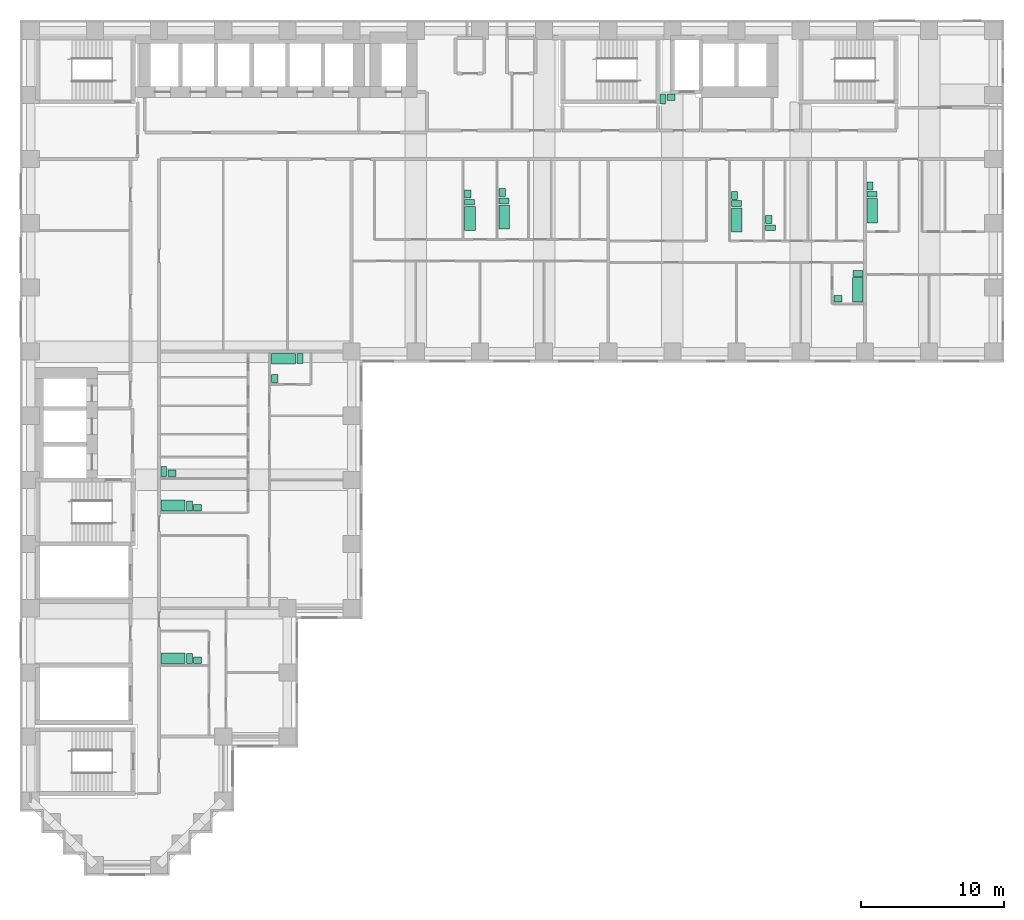
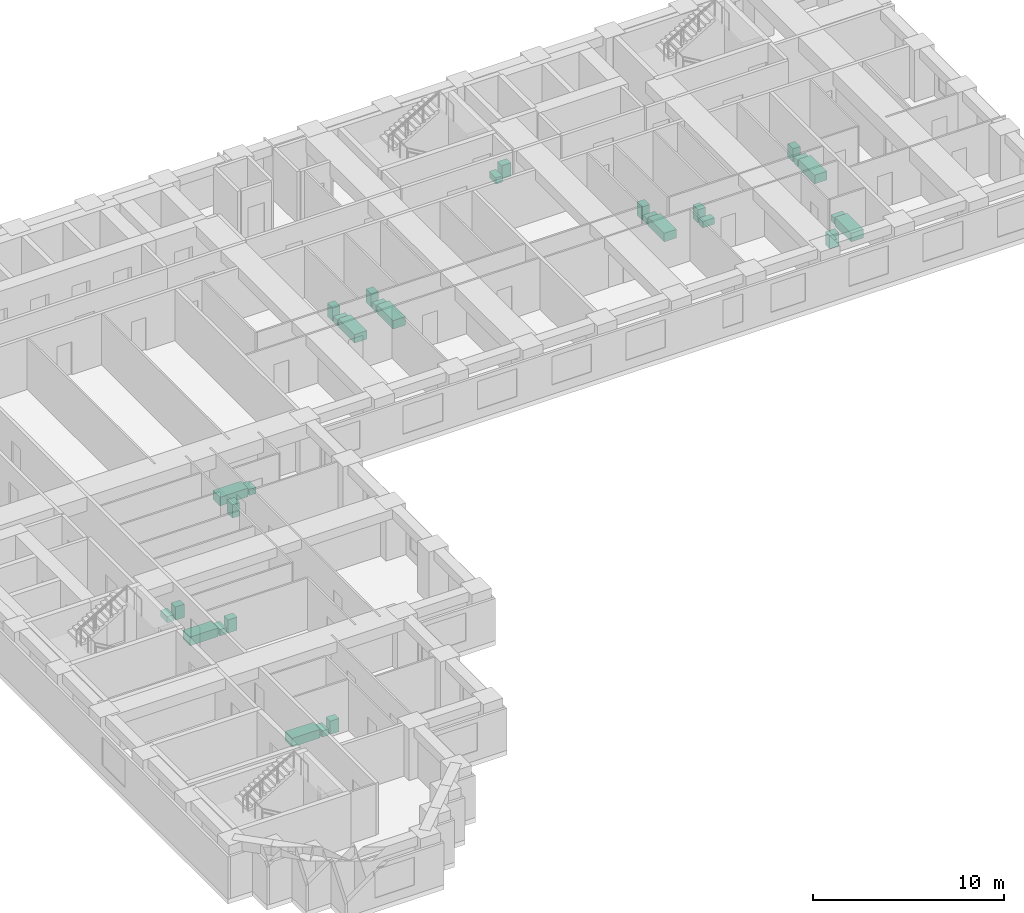
# One storey, part 12 of 12: 30 sanitary terminals.
"""IFC4 building model written with IfcOpenShell, lengths in metres."""

from ifc_helpers import new_model, si_unit, direction, frame, origin, origin_2d, place, context, subcontext, project, spatial, rectangle, extrude, material, type_object, element, save


model = new_model("IFC4")

# Units and contexts
model_context = context("Model", 3, precision=1e-05, world=origin(), true_north=direction((0.0, 1.0)))
body_context = subcontext(model_context, "Body", "Model", "MODEL_VIEW")
ifc_project = project(units=[si_unit("LENGTHUNIT", "METRE"), si_unit("AREAUNIT", "SQUARE_METRE"), si_unit("VOLUMEUNIT", "CUBIC_METRE"), si_unit("PLANEANGLEUNIT", "RADIAN"), si_unit("MASSUNIT", "GRAM", prefix="KILO")], contexts=[model_context])

# Site, building, storey
site_placement = place(None, origin())
site = spatial("IfcSite", under=ifc_project, at=site_placement, CompositionType="ELEMENT")
building_placement = place(site_placement, origin())
building = spatial("IfcBuilding", under=site, at=building_placement, Name="Firuza Court", CompositionType="ELEMENT")
storey_placement = place(building_placement, frame((0.0, 0.0, 97.39990234375)))
storey = spatial("IfcBuildingStorey", under=building, at=storey_placement, Name="L24", CompositionType="ELEMENT", Elevation=97.39990234375)

# Sanitary terminals
ifc_material_1 = material(Name="Vitreous china", Category="ceramic")
sanitary_terminal_type_1 = type_object("IfcSanitaryTerminalType", Name="Fixture Bath", PredefinedType="BATH", material=ifc_material_1)
for number, where, z_axis, x_axis, name in (
    (1, (30.804931640625, 45.330078125, 0.0), (0.0, 0.0, 1.0), (1.0, 0.0, 0.0), "Bath"),
    (2, (33.205078125, 45.429931640625, 0.0), (0.0, 0.0, 1.0), (1.0, 0.0, 0.0), "Bath"),
    (3, (49.5048828125, 45.22998046875, 0.0), (0.0, 0.0, 1.0), (1.0, 0.0, 0.0), "Bath"),
    (4, (57.9951171875, 40.330078125, 0.0), (0.0, 0.0, 1.0), (1.0, 0.0, 0.0), "Bath"),
    (5, (59.0048828125, 45.8798828125, 0.0), (0.0, 0.0, 1.0), (1.0, 0.0, 0.0), "Bath"),
):
    element("IfcSanitaryTerminal", number, at=place(storey_placement, frame(where, z_axis=z_axis, x_axis=x_axis)), inside=storey, type_object=sanitary_terminal_type_1, Name=name, PredefinedType="BATH", context=body_context, shape_type="SweptSolid", body=[
        extrude(rectangle(XDim=0.75, YDim=1.699951171875, at=origin_2d()), origin(), (0.0, 0.0, 1.0), 0.550048828125),
    ])
for number, where, z_axis, x_axis, name in (
    (6, (9.97998046875, 25.205078125, 0.0), (0.0, 0.0, 1.0), (1.0, 0.0, 0.0), "Bath"),
    (7, (17.72998046875, 35.4951171875, 0.0), (0.0, 0.0, 1.0), (1.0, 0.0, 0.0), "Bath"),
    (8, (9.97998046875, 14.5048828125, 0.0), (0.0, 0.0, 1.0), (1.0, 0.0, 0.0), "Bath"),
):
    element("IfcSanitaryTerminal", number, at=place(storey_placement, frame(where, z_axis=z_axis, x_axis=x_axis)), inside=storey, type_object=sanitary_terminal_type_1, Name=name, PredefinedType="BATH", context=body_context, shape_type="SweptSolid", body=[
        extrude(rectangle(XDim=1.699951171875, YDim=0.75, at=origin_2d()), origin(), (0.0, 0.0, 1.0), 0.550048828125),
    ])
ifc_material_2 = material(Name="Vitreous china", Category="ceramic")
sanitary_terminal_type_2 = type_object("IfcSanitaryTerminalType", Name="Fixture WC pan", PredefinedType="TOILETPAN", material=ifc_material_2)
for number, where, z_axis, x_axis, name in (
    (9, (30.780029296875, 46.47998046875, 0.000244140625), (0.0, 0.0, 1.0), (1.0, 0.0, 0.0), "WC pan"),
    (10, (33.179931640625, 46.580078125, 0.000244140625), (0.0, 0.0, 1.0), (1.0, 0.0, 0.0), "WC pan"),
    (11, (49.47998046875, 46.3798828125, 0.000244140625), (0.0, 0.0, 1.0), (1.0, 0.0, 0.0), "WC pan"),
    (12, (51.8798828125, 44.679931640625, 0.000244140625), (0.0, 0.0, 1.0), (1.0, 0.0, 0.0), "WC pan"),
    (13, (58.02001953125, 41.47998046875, 0.000244140625), (0.0, 0.0, 1.0), (1.0, 0.0, 0.0), "WC pan"),
    (14, (58.97998046875, 47.030029296875, 0.000244140625), (0.0, 0.0, 1.0), (1.0, 0.0, 0.0), "WC pan"),
):
    element("IfcSanitaryTerminal", number, at=place(storey_placement, frame(where, z_axis=z_axis, x_axis=x_axis)), inside=storey, type_object=sanitary_terminal_type_2, Name=name, PredefinedType="TOILETPAN", context=body_context, shape_type="SweptSolid", body=[
        extrude(rectangle(XDim=0.699951171875, YDim=0.39990234375, at=origin_2d()), origin(), (0.0, 0.0, 1.0), 0.39990234375),
    ])
for number, where, z_axis, x_axis, name in (
    (15, (11.1298828125, 25.179931640625, 0.000244140625), (0.0, 0.0, 1.0), (1.0, 0.0, 0.0), "WC pan"),
    (16, (9.330078125, 27.580078125, 0.000244140625), (0.0, 0.0, 1.0), (1.0, 0.0, 0.0), "WC pan"),
    (17, (18.8798828125, 35.52001953125, 0.000244140625), (0.0, 0.0, 1.0), (1.0, 0.0, 0.0), "WC pan"),
    (18, (11.1298828125, 14.47998046875, 0.000244140625), (0.0, 0.0, 1.0), (1.0, 0.0, 0.0), "WC pan"),
    (19, (44.330078125, 53.719970703125, 0.000244140625), (0.0, 0.0, 1.0), (1.0, 0.0, 0.0), "WC pan"),
):
    element("IfcSanitaryTerminal", number, at=place(storey_placement, frame(where, z_axis=z_axis, x_axis=x_axis)), inside=storey, type_object=sanitary_terminal_type_2, Name=name, PredefinedType="TOILETPAN", context=body_context, shape_type="SweptSolid", body=[
        extrude(rectangle(XDim=0.39990234375, YDim=0.699951171875, at=origin_2d()), origin(), (0.0, 0.0, 1.0), 0.39990234375),
    ])
ifc_material_3 = material(Name="Vitreous china", Category="ceramic")
sanitary_terminal_type_3 = type_object("IfcSanitaryTerminalType", Name="Fixture Washbasin", PredefinedType="WASHHANDBASIN", material=ifc_material_3)
for number, where, z_axis, x_axis, name in (
    (20, (30.655029296875, 47.054931640625, 0.0), (0.0, 0.0, 1.0), (1.0, 0.0, 0.0), "Washbasin"),
    (21, (33.054931640625, 47.155029296875, 0.0), (0.0, 0.0, 1.0), (1.0, 0.0, 0.0), "Washbasin"),
    (22, (49.35498046875, 46.955078125, 0.0), (0.0, 0.0, 1.0), (1.0, 0.0, 0.0), "Washbasin"),
    (23, (51.7548828125, 45.2548828125, 0.0), (0.0, 0.0, 1.0), (1.0, 0.0, 0.0), "Washbasin"),
):
    element("IfcSanitaryTerminal", number, at=place(storey_placement, frame(where, z_axis=z_axis, x_axis=x_axis)), inside=storey, type_object=sanitary_terminal_type_3, Name=name, PredefinedType="WASHHANDBASIN", context=body_context, shape_type="SweptSolid", body=[
        extrude(rectangle(XDim=0.449951171875, YDim=0.550048828125, at=origin_2d()), origin(), (0.0, 0.0, 1.0), 0.85009765625),
    ])
sanitary_terminal_1_placement = place(storey_placement, frame((56.60498046875, 39.705078125, 0.0), z_axis=(0.0, 0.0, 1.0), x_axis=(1.0, 0.0, 0.0)))
element("IfcSanitaryTerminal", 24, at=sanitary_terminal_1_placement, inside=storey, type_object=sanitary_terminal_type_3, Name="Washbasin", PredefinedType="WASHHANDBASIN", context=body_context, shape_type="SweptSolid", body=[
    extrude(rectangle(XDim=0.550048828125, YDim=0.449951171875, at=origin_2d()), origin(), (0.0, 0.0, 1.0), 0.85009765625),
])
sanitary_terminal_2_placement = place(storey_placement, frame((58.85498046875, 47.60498046875, 0.0), z_axis=(0.0, 0.0, 1.0), x_axis=(1.0, 0.0, 0.0)))
element("IfcSanitaryTerminal", 25, at=sanitary_terminal_2_placement, inside=storey, type_object=sanitary_terminal_type_3, Name="Washbasin", PredefinedType="WASHHANDBASIN", context=body_context, shape_type="SweptSolid", body=[
    extrude(rectangle(XDim=0.449951171875, YDim=0.550048828125, at=origin_2d()), origin(), (0.0, 0.0, 1.0), 0.85009765625),
])
for number, where, z_axis, x_axis, name in (
    (26, (11.705078125, 25.054931640625, 0.0), (0.0, 0.0, 1.0), (1.0, 0.0, 0.0), "Washbasin"),
    (27, (9.905029296875, 27.455078125, 0.0), (0.0, 0.0, 1.0), (1.0, 0.0, 0.0), "Washbasin"),
):
    element("IfcSanitaryTerminal", number, at=place(storey_placement, frame(where, z_axis=z_axis, x_axis=x_axis)), inside=storey, type_object=sanitary_terminal_type_3, Name=name, PredefinedType="WASHHANDBASIN", context=body_context, shape_type="SweptSolid", body=[
        extrude(rectangle(XDim=0.550048828125, YDim=0.449951171875, at=origin_2d()), origin(), (0.0, 0.0, 1.0), 0.85009765625),
    ])
sanitary_terminal_3_placement = place(storey_placement, frame((17.10498046875, 34.10498046875, 0.0), z_axis=(0.0, 0.0, 1.0), x_axis=(1.0, 0.0, 0.0)))
element("IfcSanitaryTerminal", 28, at=sanitary_terminal_3_placement, inside=storey, type_object=sanitary_terminal_type_3, Name="Washbasin", PredefinedType="WASHHANDBASIN", context=body_context, shape_type="SweptSolid", body=[
    extrude(rectangle(XDim=0.449951171875, YDim=0.550048828125, at=origin_2d()), origin(), (0.0, 0.0, 1.0), 0.85009765625),
])
for number, where, z_axis, x_axis, name in (
    (29, (11.705078125, 14.35498046875, 0.0), (0.0, 0.0, 1.0), (1.0, 0.0, 0.0), "Washbasin"),
    (30, (44.905029296875, 53.844970703125, 0.0), (0.0, 0.0, 1.0), (1.0, 0.0, 0.0), "Washbasin"),
):
    element("IfcSanitaryTerminal", number, at=place(storey_placement, frame(where, z_axis=z_axis, x_axis=x_axis)), inside=storey, type_object=sanitary_terminal_type_3, Name=name, PredefinedType="WASHHANDBASIN", context=body_context, shape_type="SweptSolid", body=[
        extrude(rectangle(XDim=0.550048828125, YDim=0.449951171875, at=origin_2d()), origin(), (0.0, 0.0, 1.0), 0.85009765625),
    ])

save(model, "model.ifc")
